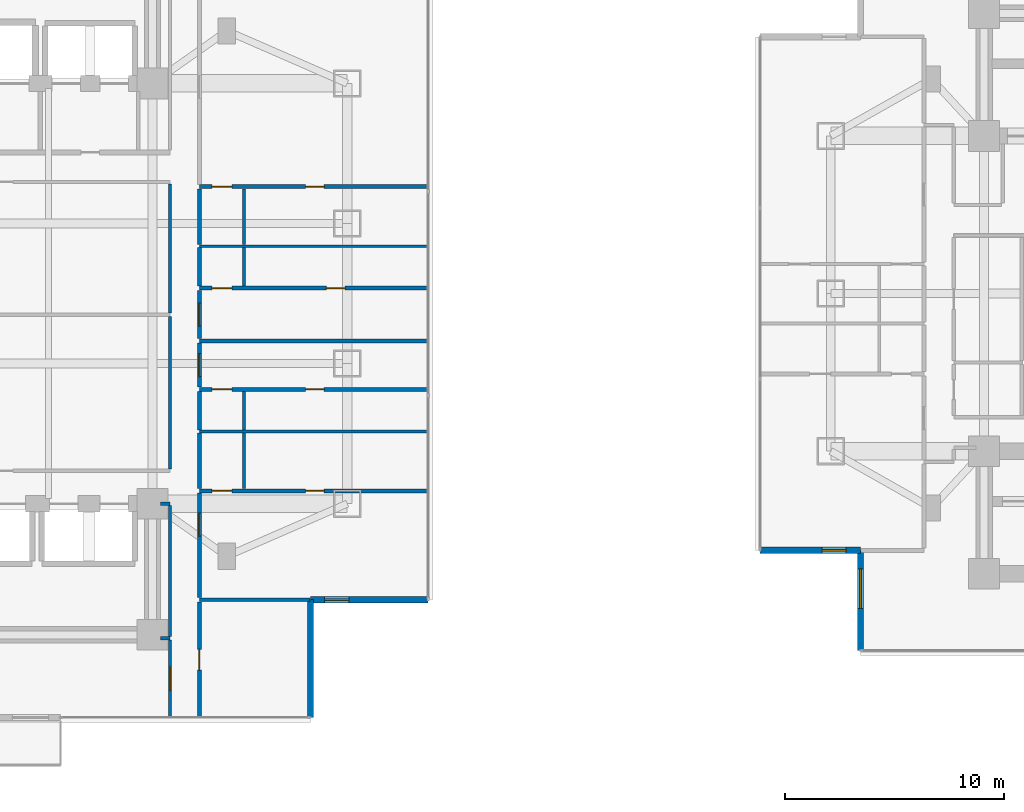
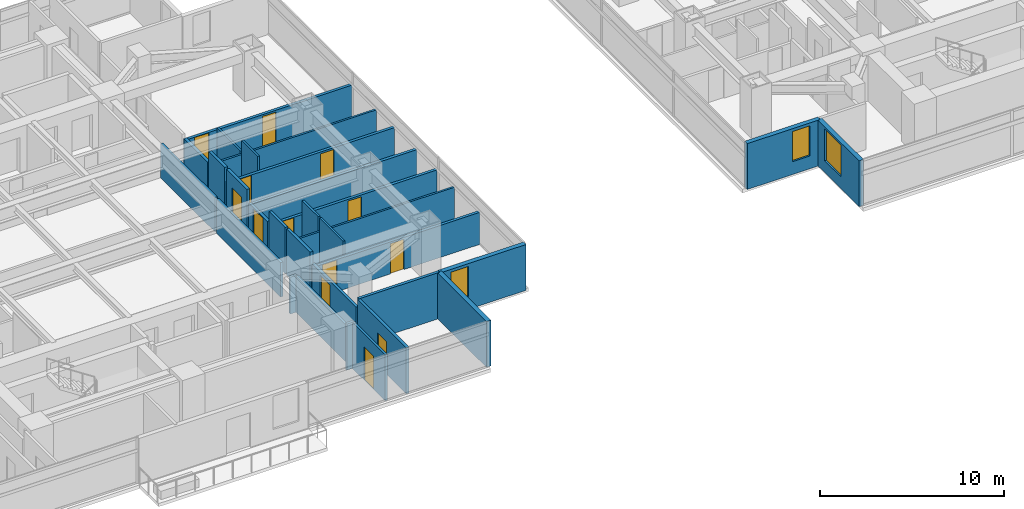
# One storey, part 15 of 25: 30 walls, 13 doors, 3 windows, 16 openings.
"""IFC4 building model written with IfcOpenShell, lengths in metres."""

from ifc_helpers import new_model, si_unit, direction, frame, frame_2d, origin, place, context, subcontext, project, spatial, rectangle, extrude, material, layer, layer_set, type_object, element, fill, save


model = new_model("IFC4")

# Units and contexts
model_context = context("Model", 3, precision=1e-05, world=origin(), true_north=direction((0.0, 1.0)))
body_context = subcontext(model_context, "Body", "Model", "MODEL_VIEW")
ifc_project = project(units=[si_unit("LENGTHUNIT", "METRE"), si_unit("AREAUNIT", "SQUARE_METRE"), si_unit("VOLUMEUNIT", "CUBIC_METRE"), si_unit("PLANEANGLEUNIT", "RADIAN"), si_unit("MASSUNIT", "GRAM", prefix="KILO")], contexts=[model_context])

# Site, building, storey
site_placement = place(None, origin())
site = spatial("IfcSite", under=ifc_project, at=site_placement, CompositionType="ELEMENT")
building_placement = place(site_placement, origin())
building = spatial("IfcBuilding", under=site, at=building_placement, Name="Mirazonda Arch Towers", CompositionType="ELEMENT")
storey_placement = place(building_placement, frame((0.0, 0.0, 35.60009765625)))
storey = spatial("IfcBuildingStorey", under=building, at=storey_placement, Name="L09", CompositionType="ELEMENT", Elevation=35.60009765625)

# Wall, opening, window
ifc_material_1 = material(Name="Precast Concrete C40/50", Category="concrete")
ifc_layer_1 = layer(ifc_material_1, 0.280029296875, Name="WALL-EXT-WALL-280")
ifc_layer_set_1 = layer_set([ifc_layer_1], Name="Precast Concrete C40/50")
wall_type_1 = type_object("IfcWallType", Name="WALL-EXT-WALL-280", PredefinedType="SOLIDWALL", material=ifc_layer_set_1)
wall_1_placement = place(storey_placement, frame((37.219970703125, 14.008056640625, 0.0), z_axis=(0.0, 0.0, 1.0), x_axis=(1.0, 0.0, 0.0)))
wall_1 = element("IfcWall", 1, at=wall_1_placement, inside=storey, type_object=wall_type_1, Name="L09 T1 Corner Notch Return Wall WL-L09-T1-CSE1", PredefinedType="SOLIDWALL", context=body_context, shape_type="SweptSolid", body=[
    extrude(rectangle(XDim=5.380126953125, YDim=0.280029296875, at=frame_2d((2.68994140625, 0.0))), origin(), (0.0, 0.0, 1.0), 3.039794921875),
])
opening_1_placement = place(wall_1_placement, frame((0.64990234375, 0.0, 0.85009765625)))
opening_1 = element("IfcOpeningElement", 2, at=opening_1_placement, cuts=wall_1, Name="Opening WN-108", PredefinedType="OPENING", context=body_context, shape_type="SweptSolid", body=[
    extrude(rectangle(XDim=1.10009765625, YDim=2.0, at=frame_2d((0.550048828125, 1.0))), frame((0.0, 0.14990234375, 0.0), z_axis=(0.0, -1.0, 0.0), x_axis=(1.0, 0.0, 0.0)), (0.0, 0.0, 1.0), 0.300048828125),
])
ifc_material_2 = material(Name="Insulated Low-E Solar Glass", Category="glass")
window_type_1 = type_object("IfcWindowType", Name="WIN-NOTCH-1100x2000", PartitioningType="SINGLE_PANEL", PredefinedType="WINDOW", material=ifc_material_2)
window_1_placement = place(opening_1_placement, origin())
window_1 = element("IfcWindow", 3, at=window_1_placement, inside=storey, type_object=window_type_1, Name="L09 Punched Facade Window WN-L09-T1-CSE1", OverallHeight=2.0, OverallWidth=1.10009765625, PartitioningType="SINGLE_PANEL", PredefinedType="WINDOW", context=body_context, shape_type="SweptSolid", body=[
    extrude(rectangle(XDim=1.10009765625, YDim=2.0, at=frame_2d((0.550048828125, 1.0))), frame((0.0, 0.030029296875, 0.0), z_axis=(0.0, -1.0, 0.0), x_axis=(1.0, 0.0, 0.0)), (0.0, 0.0, 1.0), 0.06005859375),
])
fill(opening_1, window_1)

# Wall
wall_2_placement = place(storey_placement, frame((37.219970703125, 8.6279296875, 0.0), z_axis=(0.0, 0.0, 1.0), x_axis=(0.0, 1.0, 0.0)))
element("IfcWall", 4, at=wall_2_placement, inside=storey, type_object=wall_type_1, Name="L09 T1 Corner Notch Return Wall WL-L09-T1-CSE2", PredefinedType="SOLIDWALL", context=body_context, shape_type="SweptSolid", body=[
    extrude(rectangle(XDim=5.380126953125, YDim=0.280029296875, at=frame_2d((2.68994140625, 0.0))), origin(), (0.0, 0.0, 1.0), 3.039794921875),
])

# Wall, opening, window
wall_3_placement = place(storey_placement, frame((62.347900390625, 16.266845703125, 0.0), z_axis=(0.0, 0.0, 1.0), x_axis=(0.0, -1.0, 0.0)))
wall_3 = element("IfcWall", 5, at=wall_3_placement, inside=storey, type_object=wall_type_1, Name="L09 T2 Notched SW Corner Wall WL-L09-T2-CSW", PredefinedType="SOLIDWALL", context=body_context, shape_type="SweptSolid", body=[
    extrude(rectangle(XDim=4.580078125, YDim=0.280029296875, at=frame_2d((2.2900390625, 0.0))), origin(), (0.0, 0.0, 1.0), 3.039794921875),
])
opening_2_placement = place(wall_3_placement, frame((0.85009765625, 0.0, 0.7900390625)))
opening_2 = element("IfcOpeningElement", 6, at=opening_2_placement, cuts=wall_3, Name="Opening WN-116", PredefinedType="OPENING", context=body_context, shape_type="SweptSolid", body=[
    extrude(rectangle(XDim=1.800048828125, YDim=2.10009765625, at=frame_2d((0.89990234375, 1.050048828125))), frame((0.0, 0.14990234375, 0.0), z_axis=(0.0, -1.0, 0.0), x_axis=(1.0, 0.0, 0.0)), (0.0, 0.0, 1.0), 0.300048828125),
])
window_type_2 = type_object("IfcWindowType", Name="WIN-HTL-1800x2100", PartitioningType="SINGLE_PANEL", PredefinedType="WINDOW", material=ifc_material_2)
window_2_placement = place(opening_2_placement, origin())
window_2 = element("IfcWindow", 7, at=window_2_placement, inside=storey, type_object=window_type_2, Name="L09 Punched Facade Window WN-L09-T2-CSW", OverallHeight=2.10009765625, OverallWidth=1.800048828125, PartitioningType="SINGLE_PANEL", PredefinedType="WINDOW", context=body_context, shape_type="SweptSolid", body=[
    extrude(rectangle(XDim=1.800048828125, YDim=2.10009765625, at=frame_2d((0.89990234375, 1.050048828125))), frame((0.0, 0.030029296875, 0.0), z_axis=(0.0, -1.0, 0.0), x_axis=(1.0, 0.0, 0.0)), (0.0, 0.0, 1.0), 0.06005859375),
])
fill(opening_2, window_2)

wall_4_placement = place(storey_placement, frame((57.76806640625, 16.266845703125, 0.0), z_axis=(0.0, 0.0, 1.0), x_axis=(1.0, 0.0, 0.0)))
wall_4 = element("IfcWall", 8, at=wall_4_placement, inside=storey, type_object=wall_type_1, Name="L09 T2 Corner Notch Return Wall WL-L09-T2-CSW2", PredefinedType="SOLIDWALL", context=body_context, shape_type="SweptSolid", body=[
    extrude(rectangle(XDim=4.579833984375, YDim=0.280029296875, at=frame_2d((2.2900390625, 0.0))), origin(), (0.0, 0.0, 1.0), 3.039794921875),
])
opening_3_placement = place(wall_4_placement, frame((2.830078125, 0.0, 0.85009765625)))
opening_3 = element("IfcOpeningElement", 9, at=opening_3_placement, cuts=wall_4, Name="Opening WN-108", PredefinedType="OPENING", context=body_context, shape_type="SweptSolid", body=[
    extrude(rectangle(XDim=1.10009765625, YDim=2.0, at=frame_2d((0.550048828125, 1.0))), frame((0.0, 0.14990234375, 0.0), z_axis=(0.0, -1.0, 0.0), x_axis=(1.0, 0.0, 0.0)), (0.0, 0.0, 1.0), 0.300048828125),
])
window_3_placement = place(opening_3_placement, origin())
window_3 = element("IfcWindow", 10, at=window_3_placement, inside=storey, type_object=window_type_1, Name="L09 Punched Facade Window WN-L09-T2-CSW2", OverallHeight=2.0, OverallWidth=1.10009765625, PartitioningType="SINGLE_PANEL", PredefinedType="WINDOW", context=body_context, shape_type="SweptSolid", body=[
    extrude(rectangle(XDim=1.10009765625, YDim=2.0, at=frame_2d((0.550048828125, 1.0))), frame((0.0, 0.030029296875, 0.0), z_axis=(0.0, -1.0, 0.0), x_axis=(1.0, 0.0, 0.0)), (0.0, 0.0, 1.0), 0.06005859375),
])
fill(opening_3, window_3)

# Walls
ifc_material_3 = material(Name="Fire-Rated Gypsum Stud Partition")
ifc_layer_2 = layer(ifc_material_3, 0.14990234375, Name="WALL-PART-CORR-150")
ifc_layer_set_2 = layer_set([ifc_layer_2], Name="Fire-Rated Gypsum Stud Partition")
wall_type_2 = type_object("IfcWallType", Name="WALL-PART-CORR-150", PredefinedType="PARTITIONING", material=ifc_layer_set_2)
wall_5_placement = place(storey_placement, frame((30.3701171875, 12.25, 0.0), z_axis=(0.0, 0.0, 1.0), x_axis=(1.0, 0.0, 0.0)))
element("IfcWall", 11, at=wall_5_placement, inside=storey, type_object=wall_type_2, Name="L09 Interior Partition 002", PredefinedType="PARTITIONING", context=body_context, shape_type="SweptSolid", body=[
    extrude(rectangle(XDim=0.429931640625, YDim=0.14990234375, at=frame_2d((0.21484375, 0.0))), origin(), (0.0, 0.0, 1.0), 3.059814453125),
])
wall_6_placement = place(storey_placement, frame((30.3701171875, 18.39990234375, 0.0), z_axis=(0.0, 0.0, 1.0), x_axis=(1.0, 0.0, 0.0)))
element("IfcWall", 12, at=wall_6_placement, inside=storey, type_object=wall_type_2, Name="L09 Interior Partition 013", PredefinedType="PARTITIONING", context=body_context, shape_type="SweptSolid", body=[
    extrude(rectangle(XDim=0.429931640625, YDim=0.14990234375, at=frame_2d((0.21484375, 0.0))), origin(), (0.0, 0.0, 1.0), 2.435791015625),
])

# Wall, opening, door
wall_7_placement = place(storey_placement, frame((30.800048828125, 8.6279296875, 0.0), z_axis=(0.0, 0.0, 1.0), x_axis=(0.0, 1.0, 0.0)))
wall_7 = element("IfcWall", 13, at=wall_7_placement, inside=storey, type_object=wall_type_2, Name="L09 Interior Partition 101", PredefinedType="PARTITIONING", context=body_context, shape_type="SweptSolid", body=[
    extrude(rectangle(XDim=3.537109375, YDim=0.14990234375, at=frame_2d((1.7685546875, 0.0))), origin(), (0.0, 0.0, 1.0), 3.059814453125),
])
opening_4_placement = place(wall_7_placement, frame((1.243408203125, 0.0, 0.0)))
opening_4 = element("IfcOpeningElement", 14, at=opening_4_placement, cuts=wall_7, Name="Opening DR-121", PredefinedType="OPENING", context=body_context, shape_type="SweptSolid", body=[
    extrude(rectangle(XDim=1.050048828125, YDim=2.199951171875, at=frame_2d((0.52490234375, 1.10009765625))), frame((0.0, 0.0849609375, 0.0), z_axis=(0.0, -1.0, 0.0), x_axis=(1.0, 0.0, 0.0)), (0.0, 0.0, 1.0), 0.169921875),
])
ifc_material_4 = material(Name="Architectural Brushed Steel S355", Category="steel")
door_type_1 = type_object("IfcDoorType", Name="DOOR-SUITE-FD60-1050", OperationType="NOTDEFINED", PredefinedType="DOOR", material=ifc_material_4)
door_1_placement = place(opening_4_placement, origin())
door_1 = element("IfcDoor", 15, at=door_1_placement, inside=storey, type_object=door_type_1, Name="L09 South Horizon Lounge Grand Door", OperationType="SINGLE_SWING_LEFT", OverallHeight=2.199951171875, OverallWidth=1.050048828125, PredefinedType="DOOR", context=body_context, shape_type="SweptSolid", body=[
    extrude(rectangle(XDim=1.050048828125, YDim=2.199951171875, at=frame_2d((0.52490234375, 1.10009765625))), frame((0.0, 0.02490234375, 0.0), z_axis=(0.0, -1.0, 0.0), x_axis=(1.0, 0.0, 0.0)), (0.0, 0.0, 1.0), 0.050048828125),
])
fill(opening_4, door_1)

# Walls
wall_8_placement = place(storey_placement, frame((30.800048828125, 12.3349609375, 0.0), z_axis=(0.0, 0.0, 1.0), x_axis=(0.0, 1.0, 0.0)))
element("IfcWall", 16, at=wall_8_placement, inside=storey, type_object=wall_type_2, Name="L09 Interior Partition 102", PredefinedType="PARTITIONING", context=body_context, shape_type="SweptSolid", body=[
    extrude(rectangle(XDim=5.97998046875, YDim=0.14990234375, at=frame_2d((2.989990234375, 0.0))), origin(), (0.0, 0.0, 1.0), 2.435791015625),
])
wall_9_placement = place(storey_placement, frame((30.800048828125, 19.985107421875, 0.0), z_axis=(0.0, 0.0, 1.0), x_axis=(0.0, 1.0, 0.0)))
element("IfcWall", 17, at=wall_9_placement, inside=storey, type_object=wall_type_2, Name="L09 Interior Partition 103", PredefinedType="PARTITIONING", context=body_context, shape_type="SweptSolid", body=[
    extrude(rectangle(XDim=6.9580078125, YDim=0.14990234375, at=frame_2d((3.47900390625, 0.0))), origin(), (0.0, 0.0, 1.0), 2.27880859375),
])
wall_10_placement = place(storey_placement, frame((30.800048828125, 27.113037109375, 0.0), z_axis=(0.0, 0.0, 1.0), x_axis=(0.0, 1.0, 0.0)))
element("IfcWall", 18, at=wall_10_placement, inside=storey, type_object=wall_type_2, Name="L09 Interior Partition 104", PredefinedType="PARTITIONING", context=body_context, shape_type="SweptSolid", body=[
    extrude(rectangle(XDim=5.90185546875, YDim=0.14990234375, at=frame_2d((2.950927734375, 0.0))), origin(), (0.0, 0.0, 1.0), 2.27880859375),
])
ifc_material_5 = material(Name="Fire-Rated Gypsum Twin-Stud Assembly")
ifc_layer_3 = layer(ifc_material_5, 0.179931640625, Name="WALL-PART-DEMISE-180")
ifc_layer_set_3 = layer_set([ifc_layer_3], Name="Fire-Rated Gypsum Twin-Stud Assembly")
wall_type_3 = type_object("IfcWallType", Name="WALL-PART-DEMISE-180", PredefinedType="PARTITIONING", material=ifc_layer_set_3)
wall_11_placement = place(storey_placement, frame((32.139892578125, 14.008056640625, 0.0), z_axis=(0.0, 0.0, 1.0), x_axis=(1.0, 0.0, 0.0)))
element("IfcWall", 19, at=wall_11_placement, inside=storey, type_object=wall_type_3, Name="L09 Interior Partition 005", PredefinedType="PARTITIONING", context=body_context, shape_type="SweptSolid", body=[
    extrude(rectangle(XDim=5.06005859375, YDim=0.179931640625, at=frame_2d((2.530029296875, 0.0))), origin(), (0.0, 0.0, 1.0), 3.059814453125),
])

# Wall, openings, doors
wall_12_placement = place(storey_placement, frame((32.139892578125, 18.98095703125, 0.0), z_axis=(0.0, 0.0, 1.0), x_axis=(1.0, 0.0, 0.0)))
wall_12 = element("IfcWall", 20, at=wall_12_placement, inside=storey, type_object=wall_type_3, Name="L09 Interior Partition 015", PredefinedType="PARTITIONING", context=body_context, shape_type="SweptSolid", body=[
    extrude(rectangle(XDim=10.460205078125, YDim=0.179931640625, at=frame_2d((5.22998046875, 0.0))), origin(), (0.0, 0.0, 1.0), 2.125),
])
opening_5_placement = place(wall_12_placement, frame((4.85498046875, 0.0, 0.0)))
opening_5 = element("IfcOpeningElement", 21, at=opening_5_placement, cuts=wall_12, Name="Opening DR-128", PredefinedType="OPENING", context=body_context, shape_type="SweptSolid", body=[
    extrude(rectangle(XDim=0.85009765625, YDim=2.010009765625, at=frame_2d((0.425048828125, 1.0048828125))), frame((0.0, 0.099853515625, 0.0), z_axis=(0.0, -1.0, 0.0), x_axis=(1.0, 0.0, 0.0)), (0.0, 0.0, 1.0), 0.199951171875),
])
opening_6_placement = place(wall_12_placement, frame((0.590087890625, 0.0, 0.0)))
opening_6 = element("IfcOpeningElement", 22, at=opening_6_placement, cuts=wall_12, Name="Opening DR-120", PredefinedType="OPENING", context=body_context, shape_type="SweptSolid", body=[
    extrude(rectangle(XDim=0.89990234375, YDim=2.10009765625, at=frame_2d((0.449951171875, 1.050048828125))), frame((0.0, 0.099853515625, 0.0), z_axis=(0.0, -1.0, 0.0), x_axis=(1.0, 0.0, 0.0)), (0.0, 0.0, 1.0), 0.199951171875),
])
door_type_2 = type_object("IfcDoorType", Name="DOOR-RISER-FD60-850", OperationType="NOTDEFINED", PredefinedType="DOOR", material=ifc_material_4)
door_2_placement = place(opening_5_placement, origin())
door_2 = element("IfcDoor", 23, at=door_2_placement, inside=storey, type_object=door_type_2, Name="L09 Guestroom Study 1 Door", OperationType="SINGLE_SWING_LEFT", OverallHeight=2.010009765625, OverallWidth=0.85009765625, PredefinedType="DOOR", context=body_context, shape_type="SweptSolid", body=[
    extrude(rectangle(XDim=0.85009765625, YDim=2.010009765625, at=frame_2d((0.425048828125, 1.0048828125))), frame((0.0, 0.02490234375, 0.0), z_axis=(0.0, -1.0, 0.0), x_axis=(1.0, 0.0, 0.0)), (0.0, 0.0, 1.0), 0.050048828125),
])
fill(opening_5, door_2)
door_type_3 = type_object("IfcDoorType", Name="DOOR-WC-900", OperationType="NOTDEFINED", PredefinedType="DOOR", material=ifc_material_4)
door_3_placement = place(opening_6_placement, origin())
door_3 = element("IfcDoor", 24, at=door_3_placement, inside=storey, type_object=door_type_3, Name="L09 En-Suite Bathroom 1 Door", OperationType="SINGLE_SWING_RIGHT", OverallHeight=2.10009765625, OverallWidth=0.89990234375, PredefinedType="DOOR", context=body_context, shape_type="SweptSolid", body=[
    extrude(rectangle(XDim=0.89990234375, YDim=2.10009765625, at=frame_2d((0.449951171875, 1.050048828125))), frame((0.0, 0.02490234375, 0.0), z_axis=(0.0, -1.0, 0.0), x_axis=(1.0, 0.0, 0.0)), (0.0, 0.0, 1.0), 0.050048828125),
])
fill(opening_6, door_3)

wall_13_placement = place(storey_placement, frame((32.139892578125, 23.62109375, 0.0), z_axis=(0.0, 0.0, 1.0), x_axis=(1.0, 0.0, 0.0)))
wall_13 = element("IfcWall", 25, at=wall_13_placement, inside=storey, type_object=wall_type_3, Name="L09 Interior Partition 026", PredefinedType="PARTITIONING", context=body_context, shape_type="SweptSolid", body=[
    extrude(rectangle(XDim=10.460205078125, YDim=0.179931640625, at=frame_2d((5.22998046875, 0.0))), origin(), (0.0, 0.0, 1.0), 2.125),
])
opening_7_placement = place(wall_13_placement, frame((4.85498046875, 0.0, 0.0)))
opening_7 = element("IfcOpeningElement", 26, at=opening_7_placement, cuts=wall_13, Name="Opening DR-128", PredefinedType="OPENING", context=body_context, shape_type="SweptSolid", body=[
    extrude(rectangle(XDim=0.85009765625, YDim=2.010009765625, at=frame_2d((0.425048828125, 1.0048828125))), frame((0.0, 0.099853515625, 0.0), z_axis=(0.0, -1.0, 0.0), x_axis=(1.0, 0.0, 0.0)), (0.0, 0.0, 1.0), 0.199951171875),
])
opening_8_placement = place(wall_13_placement, frame((0.590087890625, 0.0, 0.0)))
opening_8 = element("IfcOpeningElement", 27, at=opening_8_placement, cuts=wall_13, Name="Opening DR-120", PredefinedType="OPENING", context=body_context, shape_type="SweptSolid", body=[
    extrude(rectangle(XDim=0.89990234375, YDim=2.10009765625, at=frame_2d((0.449951171875, 1.050048828125))), frame((0.0, 0.099853515625, 0.0), z_axis=(0.0, -1.0, 0.0), x_axis=(1.0, 0.0, 0.0)), (0.0, 0.0, 1.0), 0.199951171875),
])
door_4_placement = place(opening_7_placement, origin())
door_4 = element("IfcDoor", 28, at=door_4_placement, inside=storey, type_object=door_type_2, Name="L09 Guestroom Study 2 Door", OperationType="SINGLE_SWING_RIGHT", OverallHeight=2.010009765625, OverallWidth=0.85009765625, PredefinedType="DOOR", context=body_context, shape_type="SweptSolid", body=[
    extrude(rectangle(XDim=0.85009765625, YDim=2.010009765625, at=frame_2d((0.425048828125, 1.0048828125))), frame((0.0, 0.02490234375, 0.0), z_axis=(0.0, -1.0, 0.0), x_axis=(1.0, 0.0, 0.0)), (0.0, 0.0, 1.0), 0.050048828125),
])
fill(opening_7, door_4)
door_5_placement = place(opening_8_placement, origin())
door_5 = element("IfcDoor", 29, at=door_5_placement, inside=storey, type_object=door_type_3, Name="L09 En-Suite Bathroom 2 Door", OperationType="SINGLE_SWING_LEFT", OverallHeight=2.10009765625, OverallWidth=0.89990234375, PredefinedType="DOOR", context=body_context, shape_type="SweptSolid", body=[
    extrude(rectangle(XDim=0.89990234375, YDim=2.10009765625, at=frame_2d((0.449951171875, 1.050048828125))), frame((0.0, 0.02490234375, 0.0), z_axis=(0.0, -1.0, 0.0), x_axis=(1.0, 0.0, 0.0)), (0.0, 0.0, 1.0), 0.050048828125),
])
fill(opening_8, door_5)

# Wall
wall_14_placement = place(storey_placement, frame((32.139892578125, 25.8349609375, 0.0), z_axis=(0.0, 0.0, 1.0), x_axis=(1.0, 0.0, 0.0)))
element("IfcWall", 30, at=wall_14_placement, inside=storey, type_object=wall_type_3, Name="L09 Interior Partition 031", PredefinedType="PARTITIONING", context=body_context, shape_type="SweptSolid", body=[
    extrude(rectangle(XDim=10.460205078125, YDim=0.179931640625, at=frame_2d((5.22998046875, 0.0))), origin(), (0.0, 0.0, 1.0), 2.125),
])

# Wall, openings, doors
wall_15_placement = place(storey_placement, frame((32.139892578125, 28.2451171875, 0.0), z_axis=(0.0, 0.0, 1.0), x_axis=(1.0, 0.0, 0.0)))
wall_15 = element("IfcWall", 31, at=wall_15_placement, inside=storey, type_object=wall_type_3, Name="L09 Interior Partition 036", PredefinedType="PARTITIONING", context=body_context, shape_type="SweptSolid", body=[
    extrude(rectangle(XDim=10.460205078125, YDim=0.179931640625, at=frame_2d((5.22998046875, 0.0))), origin(), (0.0, 0.0, 1.0), 2.125),
])
opening_9_placement = place(wall_15_placement, frame((5.804931640625, 0.0, 0.0)))
opening_9 = element("IfcOpeningElement", 32, at=opening_9_placement, cuts=wall_15, Name="Opening DR-128", PredefinedType="OPENING", context=body_context, shape_type="SweptSolid", body=[
    extrude(rectangle(XDim=0.85009765625, YDim=2.010009765625, at=frame_2d((0.425048828125, 1.0048828125))), frame((0.0, 0.099853515625, 0.0), z_axis=(0.0, -1.0, 0.0), x_axis=(1.0, 0.0, 0.0)), (0.0, 0.0, 1.0), 0.199951171875),
])
opening_10_placement = place(wall_15_placement, frame((0.590087890625, 0.0, 0.0)))
opening_10 = element("IfcOpeningElement", 33, at=opening_10_placement, cuts=wall_15, Name="Opening DR-120", PredefinedType="OPENING", context=body_context, shape_type="SweptSolid", body=[
    extrude(rectangle(XDim=0.89990234375, YDim=2.10009765625, at=frame_2d((0.449951171875, 1.050048828125))), frame((0.0, 0.099853515625, 0.0), z_axis=(0.0, -1.0, 0.0), x_axis=(1.0, 0.0, 0.0)), (0.0, 0.0, 1.0), 0.199951171875),
])
door_6_placement = place(opening_9_placement, origin())
door_6 = element("IfcDoor", 34, at=door_6_placement, inside=storey, type_object=door_type_2, Name="L09 Guestroom Study 3 Door", OperationType="SINGLE_SWING_LEFT", OverallHeight=2.010009765625, OverallWidth=0.85009765625, PredefinedType="DOOR", context=body_context, shape_type="SweptSolid", body=[
    extrude(rectangle(XDim=0.85009765625, YDim=2.010009765625, at=frame_2d((0.425048828125, 1.0048828125))), frame((0.0, 0.02490234375, 0.0), z_axis=(0.0, -1.0, 0.0), x_axis=(1.0, 0.0, 0.0)), (0.0, 0.0, 1.0), 0.050048828125),
])
fill(opening_9, door_6)
door_7_placement = place(opening_10_placement, origin())
door_7 = element("IfcDoor", 35, at=door_7_placement, inside=storey, type_object=door_type_3, Name="L09 En-Suite Bathroom 3 Door", OperationType="SINGLE_SWING_RIGHT", OverallHeight=2.10009765625, OverallWidth=0.89990234375, PredefinedType="DOOR", context=body_context, shape_type="SweptSolid", body=[
    extrude(rectangle(XDim=0.89990234375, YDim=2.10009765625, at=frame_2d((0.449951171875, 1.050048828125))), frame((0.0, 0.02490234375, 0.0), z_axis=(0.0, -1.0, 0.0), x_axis=(1.0, 0.0, 0.0)), (0.0, 0.0, 1.0), 0.050048828125),
])
fill(opening_10, door_7)

wall_16_placement = place(storey_placement, frame((32.139892578125, 32.885009765625, 0.0), z_axis=(0.0, 0.0, 1.0), x_axis=(1.0, 0.0, 0.0)))
wall_16 = element("IfcWall", 36, at=wall_16_placement, inside=storey, type_object=wall_type_3, Name="L09 Interior Partition 046", PredefinedType="PARTITIONING", context=body_context, shape_type="SweptSolid", body=[
    extrude(rectangle(XDim=10.460205078125, YDim=0.179931640625, at=frame_2d((5.22998046875, 0.0))), origin(), (0.0, 0.0, 1.0), 2.125),
])
opening_11_placement = place(wall_16_placement, frame((4.85498046875, 0.0, 0.0)))
opening_11 = element("IfcOpeningElement", 37, at=opening_11_placement, cuts=wall_16, Name="Opening DR-128", PredefinedType="OPENING", context=body_context, shape_type="SweptSolid", body=[
    extrude(rectangle(XDim=0.85009765625, YDim=2.010009765625, at=frame_2d((0.425048828125, 1.0048828125))), frame((0.0, 0.099853515625, 0.0), z_axis=(0.0, -1.0, 0.0), x_axis=(1.0, 0.0, 0.0)), (0.0, 0.0, 1.0), 0.199951171875),
])
opening_12_placement = place(wall_16_placement, frame((0.590087890625, 0.0, 0.0)))
opening_12 = element("IfcOpeningElement", 38, at=opening_12_placement, cuts=wall_16, Name="Opening DR-120", PredefinedType="OPENING", context=body_context, shape_type="SweptSolid", body=[
    extrude(rectangle(XDim=0.89990234375, YDim=2.10009765625, at=frame_2d((0.449951171875, 1.050048828125))), frame((0.0, 0.099853515625, 0.0), z_axis=(0.0, -1.0, 0.0), x_axis=(1.0, 0.0, 0.0)), (0.0, 0.0, 1.0), 0.199951171875),
])
door_8_placement = place(opening_11_placement, origin())
door_8 = element("IfcDoor", 39, at=door_8_placement, inside=storey, type_object=door_type_2, Name="L09 Suite Bedroom 4 Door", OperationType="SINGLE_SWING_RIGHT", OverallHeight=2.010009765625, OverallWidth=0.85009765625, PredefinedType="DOOR", context=body_context, shape_type="SweptSolid", body=[
    extrude(rectangle(XDim=0.85009765625, YDim=2.010009765625, at=frame_2d((0.425048828125, 1.0048828125))), frame((0.0, 0.02490234375, 0.0), z_axis=(0.0, -1.0, 0.0), x_axis=(1.0, 0.0, 0.0)), (0.0, 0.0, 1.0), 0.050048828125),
])
fill(opening_11, door_8)
door_9_placement = place(opening_12_placement, origin())
door_9 = element("IfcDoor", 40, at=door_9_placement, inside=storey, type_object=door_type_3, Name="L09 Suite En-Suite Bathroom 4 Door", OperationType="SINGLE_SWING_LEFT", OverallHeight=2.10009765625, OverallWidth=0.89990234375, PredefinedType="DOOR", context=body_context, shape_type="SweptSolid", body=[
    extrude(rectangle(XDim=0.89990234375, YDim=2.10009765625, at=frame_2d((0.449951171875, 1.050048828125))), frame((0.0, 0.02490234375, 0.0), z_axis=(0.0, -1.0, 0.0), x_axis=(1.0, 0.0, 0.0)), (0.0, 0.0, 1.0), 0.050048828125),
])
fill(opening_12, door_9)

# Wall, opening, door
wall_17_placement = place(storey_placement, frame((32.139892578125, 8.6279296875, 0.0), z_axis=(0.0, 0.0, 1.0), x_axis=(0.0, 1.0, 0.0)))
wall_17 = element("IfcWall", 41, at=wall_17_placement, inside=storey, type_object=wall_type_3, Name="L09 Interior Partition 107", PredefinedType="PARTITIONING", context=body_context, shape_type="SweptSolid", body=[
    extrude(rectangle(XDim=5.280029296875, YDim=0.179931640625, at=frame_2d((2.64013671875, 0.0))), origin(), (0.0, 0.0, 1.0), 3.059814453125),
])
opening_13_placement = place(wall_17_placement, frame((2.1650390625, 0.0, 0.0)))
opening_13 = element("IfcOpeningElement", 42, at=opening_13_placement, cuts=wall_17, Name="Opening DR-104", PredefinedType="OPENING", context=body_context, shape_type="SweptSolid", body=[
    extrude(rectangle(XDim=0.949951171875, YDim=2.14990234375, at=frame_2d((0.47509765625, 1.074951171875))), frame((0.0, 0.099853515625, 0.0), z_axis=(0.0, -1.0, 0.0), x_axis=(1.0, 0.0, 0.0)), (0.0, 0.0, 1.0), 0.199951171875),
])
door_type_4 = type_object("IfcDoorType", Name="DOOR-ROOM-950", OperationType="NOTDEFINED", PredefinedType="DOOR", material=ifc_material_4)
door_10_placement = place(opening_13_placement, origin())
door_10 = element("IfcDoor", 43, at=door_10_placement, inside=storey, type_object=door_type_4, Name="L09 South Horizon Lounge Alcove East Door", OperationType="SINGLE_SWING_LEFT", OverallHeight=2.14990234375, OverallWidth=0.949951171875, PredefinedType="DOOR", context=body_context, shape_type="SweptSolid", body=[
    extrude(rectangle(XDim=0.949951171875, YDim=2.14990234375, at=frame_2d((0.47509765625, 1.074951171875))), frame((0.0, 0.02490234375, 0.0), z_axis=(0.0, -1.0, 0.0), x_axis=(1.0, 0.0, 0.0)), (0.0, 0.0, 1.0), 0.050048828125),
])
fill(opening_13, door_10)

wall_18_placement = place(storey_placement, frame((32.139892578125, 14.10791015625, 0.0), z_axis=(0.0, 0.0, 1.0), x_axis=(0.0, 1.0, 0.0)))
wall_18 = element("IfcWall", 44, at=wall_18_placement, inside=storey, type_object=wall_type_3, Name="L09 Interior Partition 108", PredefinedType="PARTITIONING", context=body_context, shape_type="SweptSolid", body=[
    extrude(rectangle(XDim=4.773193359375, YDim=0.179931640625, at=frame_2d((2.38671875, 0.0))), origin(), (0.0, 0.0, 1.0), 2.435791015625),
])
opening_14_placement = place(wall_18_placement, frame((2.8115234375, 0.0, 0.0)))
opening_14 = element("IfcOpeningElement", 45, at=opening_14_placement, cuts=wall_18, Name="Opening DR-121", PredefinedType="OPENING", context=body_context, shape_type="SweptSolid", body=[
    extrude(rectangle(XDim=1.050048828125, YDim=2.199951171875, at=frame_2d((0.52490234375, 1.10009765625))), frame((0.0, 0.099853515625, 0.0), z_axis=(0.0, -1.0, 0.0), x_axis=(1.0, 0.0, 0.0)), (0.0, 0.0, 1.0), 0.199951171875),
])
door_11_placement = place(opening_14_placement, origin())
door_11 = element("IfcDoor", 46, at=door_11_placement, inside=storey, type_object=door_type_1, Name="L09 King Hotel Guestroom 1 Door", OperationType="SINGLE_SWING_RIGHT", OverallHeight=2.199951171875, OverallWidth=1.050048828125, PredefinedType="DOOR", context=body_context, shape_type="SweptSolid", body=[
    extrude(rectangle(XDim=1.050048828125, YDim=2.199951171875, at=frame_2d((0.52490234375, 1.10009765625))), frame((0.0, 0.02490234375, 0.0), z_axis=(0.0, -1.0, 0.0), x_axis=(1.0, 0.0, 0.0)), (0.0, 0.0, 1.0), 0.050048828125),
])
fill(opening_14, door_11)

# Walls
wall_19_placement = place(storey_placement, frame((32.139892578125, 19.0810546875, 0.0), z_axis=(0.0, 0.0, 1.0), x_axis=(0.0, 1.0, 0.0)))
element("IfcWall", 47, at=wall_19_placement, inside=storey, type_object=wall_type_3, Name="L09 Interior Partition 109", PredefinedType="PARTITIONING", context=body_context, shape_type="SweptSolid", body=[
    extrude(rectangle(XDim=2.54736328125, YDim=0.179931640625, at=frame_2d((1.273681640625, 0.0))), origin(), (0.0, 0.0, 1.0), 3.059814453125),
])
wall_20_placement = place(storey_placement, frame((32.139892578125, 21.7734375, 0.0), z_axis=(0.0, 0.0, 1.0), x_axis=(0.0, 1.0, 0.0)))
element("IfcWall", 48, at=wall_20_placement, inside=storey, type_object=wall_type_3, Name="L09 Interior Partition 110", PredefinedType="PARTITIONING", context=body_context, shape_type="SweptSolid", body=[
    extrude(rectangle(XDim=1.74755859375, YDim=0.179931640625, at=frame_2d((0.873779296875, 0.0))), origin(), (0.0, 0.0, 1.0), 3.059814453125),
])

# Wall, opening, door
wall_21_placement = place(storey_placement, frame((32.139892578125, 23.720947265625, 0.0), z_axis=(0.0, 0.0, 1.0), x_axis=(0.0, 1.0, 0.0)))
wall_21 = element("IfcWall", 49, at=wall_21_placement, inside=storey, type_object=wall_type_3, Name="L09 Interior Partition 111", PredefinedType="PARTITIONING", context=body_context, shape_type="SweptSolid", body=[
    extrude(rectangle(XDim=2.01416015625, YDim=0.179931640625, at=frame_2d((1.007080078125, 0.0))), origin(), (0.0, 0.0, 1.0), 2.27880859375),
])
opening_15_placement = place(wall_21_placement, frame((0.48193359375, 0.0, 0.0)))
opening_15 = element("IfcOpeningElement", 50, at=opening_15_placement, cuts=wall_21, Name="Opening DR-121", PredefinedType="OPENING", context=body_context, shape_type="SweptSolid", body=[
    extrude(rectangle(XDim=1.050048828125, YDim=2.199951171875, at=frame_2d((0.52490234375, 1.10009765625))), frame((0.0, 0.099853515625, 0.0), z_axis=(0.0, -1.0, 0.0), x_axis=(1.0, 0.0, 0.0)), (0.0, 0.0, 1.0), 0.199951171875),
])
door_12_placement = place(opening_15_placement, origin())
door_12 = element("IfcDoor", 51, at=door_12_placement, inside=storey, type_object=door_type_1, Name="L09 Twin Hotel Guestroom 2 Door", OperationType="SINGLE_SWING_LEFT", OverallHeight=2.199951171875, OverallWidth=1.050048828125, PredefinedType="DOOR", context=body_context, shape_type="SweptSolid", body=[
    extrude(rectangle(XDim=1.050048828125, YDim=2.199951171875, at=frame_2d((0.52490234375, 1.10009765625))), frame((0.0, 0.02490234375, 0.0), z_axis=(0.0, -1.0, 0.0), x_axis=(1.0, 0.0, 0.0)), (0.0, 0.0, 1.0), 0.050048828125),
])
fill(opening_15, door_12)

wall_22_placement = place(storey_placement, frame((32.139892578125, 25.93505859375, 0.0), z_axis=(0.0, 0.0, 1.0), x_axis=(0.0, 1.0, 0.0)))
wall_22 = element("IfcWall", 52, at=wall_22_placement, inside=storey, type_object=wall_type_3, Name="L09 Interior Partition 112", PredefinedType="PARTITIONING", context=body_context, shape_type="SweptSolid", body=[
    extrude(rectangle(XDim=2.2099609375, YDim=0.179931640625, at=frame_2d((1.10498046875, 0.0))), origin(), (0.0, 0.0, 1.0), 3.059814453125),
])
opening_16_placement = place(wall_22_placement, frame((0.580078125, 0.0, 0.0)))
opening_16 = element("IfcOpeningElement", 53, at=opening_16_placement, cuts=wall_22, Name="Opening DR-121", PredefinedType="OPENING", context=body_context, shape_type="SweptSolid", body=[
    extrude(rectangle(XDim=1.050048828125, YDim=2.199951171875, at=frame_2d((0.52490234375, 1.10009765625))), frame((0.0, 0.099853515625, 0.0), z_axis=(0.0, -1.0, 0.0), x_axis=(1.0, 0.0, 0.0)), (0.0, 0.0, 1.0), 0.199951171875),
])
door_13_placement = place(opening_16_placement, origin())
door_13 = element("IfcDoor", 54, at=door_13_placement, inside=storey, type_object=door_type_1, Name="L09 King Hotel Guestroom 3 Door", OperationType="SINGLE_SWING_RIGHT", OverallHeight=2.199951171875, OverallWidth=1.050048828125, PredefinedType="DOOR", context=body_context, shape_type="SweptSolid", body=[
    extrude(rectangle(XDim=1.050048828125, YDim=2.199951171875, at=frame_2d((0.52490234375, 1.10009765625))), frame((0.0, 0.02490234375, 0.0), z_axis=(0.0, -1.0, 0.0), x_axis=(1.0, 0.0, 0.0)), (0.0, 0.0, 1.0), 0.050048828125),
])
fill(opening_16, door_13)

# Walls
wall_23_placement = place(storey_placement, frame((32.139892578125, 28.344970703125, 0.0), z_axis=(0.0, 0.0, 1.0), x_axis=(0.0, 1.0, 0.0)))
element("IfcWall", 55, at=wall_23_placement, inside=storey, type_object=wall_type_3, Name="L09 Interior Partition 113", PredefinedType="PARTITIONING", context=body_context, shape_type="SweptSolid", body=[
    extrude(rectangle(XDim=1.74755859375, YDim=0.179931640625, at=frame_2d((0.873779296875, 0.0))), origin(), (0.0, 0.0, 1.0), 3.059814453125),
])
wall_24_placement = place(storey_placement, frame((32.139892578125, 30.237548828125, 0.0), z_axis=(0.0, 0.0, 1.0), x_axis=(0.0, 1.0, 0.0)))
element("IfcWall", 56, at=wall_24_placement, inside=storey, type_object=wall_type_3, Name="L09 Interior Partition 114", PredefinedType="PARTITIONING", context=body_context, shape_type="SweptSolid", body=[
    extrude(rectangle(XDim=2.54736328125, YDim=0.179931640625, at=frame_2d((1.273681640625, 0.0))), origin(), (0.0, 0.0, 1.0), 2.27880859375),
])
ifc_material_6 = material(Name="Acoustic Fire-Rated Gypsum Partition")
ifc_layer_4 = layer(ifc_material_6, 0.125, Name="WALL-PART-UNIT-125")
ifc_layer_set_4 = layer_set([ifc_layer_4], Name="Acoustic Fire-Rated Gypsum Partition")
wall_type_4 = type_object("IfcWallType", Name="WALL-PART-UNIT-125", PredefinedType="PARTITIONING", material=ifc_layer_set_4)
for number, where, z_axis, x_axis, name in (
    (57, (32.139892578125, 21.700927734375, 0.0), (0.0, 0.0, 1.0), (1.0, 0.0, 0.0), "L09 Interior Partition 021"),
    (58, (32.139892578125, 30.1650390625, 0.0), (0.0, 0.0, 1.0), (1.0, 0.0, 0.0), "L09 Interior Partition 040"),
):
    element("IfcWall", number, at=place(storey_placement, frame(where, z_axis=z_axis, x_axis=x_axis)), inside=storey, type_object=wall_type_4, Name=name, PredefinedType="PARTITIONING", context=body_context, shape_type="SweptSolid", body=[
        extrude(rectangle(XDim=10.460205078125, YDim=0.125, at=frame_2d((5.22998046875, 0.0))), origin(), (0.0, 0.0, 1.0), 2.125),
    ])
wall_25_placement = place(storey_placement, frame((34.179931640625, 19.0810546875, 0.0), z_axis=(0.0, 0.0, 1.0), x_axis=(0.0, 1.0, 0.0)))
element("IfcWall", 59, at=wall_25_placement, inside=storey, type_object=wall_type_4, Name="L09 Interior Partition 117", PredefinedType="PARTITIONING", context=body_context, shape_type="SweptSolid", body=[
    extrude(rectangle(XDim=2.54736328125, YDim=0.125, at=frame_2d((1.273681640625, 0.0))), origin(), (0.0, 0.0, 1.0), 3.059814453125),
])
for number, where, z_axis, x_axis, name in (
    (60, (34.179931640625, 21.7734375, 0.0), (0.0, 0.0, 1.0), (0.0, 1.0, 0.0), "L09 Interior Partition 118"),
    (61, (34.179931640625, 28.344970703125, 0.0), (0.0, 0.0, 1.0), (0.0, 1.0, 0.0), "L09 Interior Partition 119"),
):
    element("IfcWall", number, at=place(storey_placement, frame(where, z_axis=z_axis, x_axis=x_axis)), inside=storey, type_object=wall_type_4, Name=name, PredefinedType="PARTITIONING", context=body_context, shape_type="SweptSolid", body=[
        extrude(rectangle(XDim=1.74755859375, YDim=0.125, at=frame_2d((0.873779296875, 0.0))), origin(), (0.0, 0.0, 1.0), 3.059814453125),
    ])
wall_26_placement = place(storey_placement, frame((34.179931640625, 30.237548828125, 0.0), z_axis=(0.0, 0.0, 1.0), x_axis=(0.0, 1.0, 0.0)))
element("IfcWall", 62, at=wall_26_placement, inside=storey, type_object=wall_type_4, Name="L09 Interior Partition 120", PredefinedType="PARTITIONING", context=body_context, shape_type="SweptSolid", body=[
    extrude(rectangle(XDim=2.54736328125, YDim=0.125, at=frame_2d((1.273681640625, 0.0))), origin(), (0.0, 0.0, 1.0), 2.27880859375),
])

save(model, "model.ifc")
